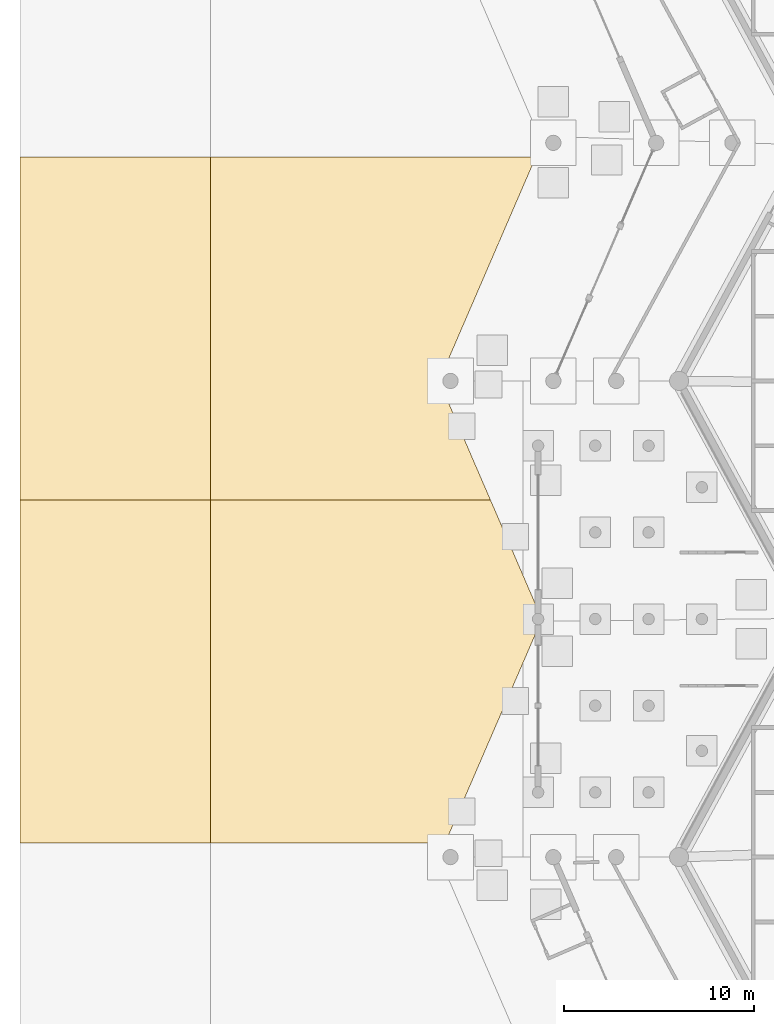
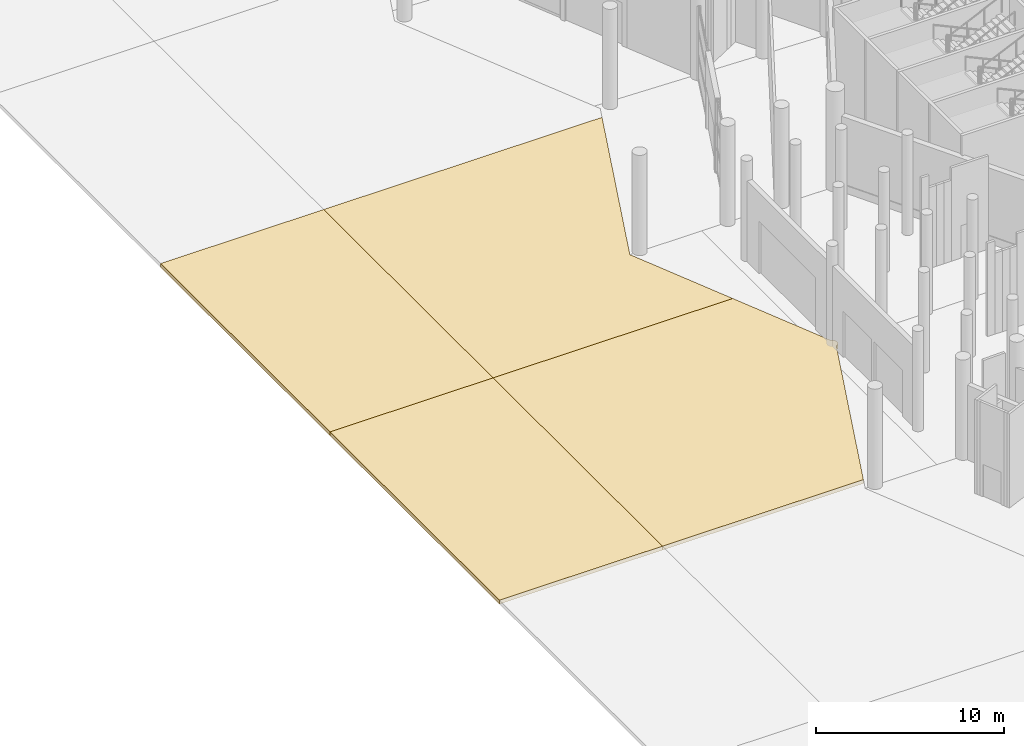
# One storey, part 199 of 255: 4 coverings.
"""IFC4 building model written with IfcOpenShell, lengths in metres."""

from ifc_helpers import new_model, si_unit, direction, frame, origin, place, context, subcontext, project, spatial, polyline, outline, extrude, material, layer, layer_set, type_object, element, save


model = new_model("IFC4")

# Units and contexts
model_context = context("Model", 3, precision=1e-05, world=origin(), true_north=direction((0.0, 1.0)))
body_context = subcontext(model_context, "Body", "Model", "MODEL_VIEW")
ifc_project = project(units=[si_unit("LENGTHUNIT", "METRE"), si_unit("AREAUNIT", "SQUARE_METRE"), si_unit("VOLUMEUNIT", "CUBIC_METRE"), si_unit("PLANEANGLEUNIT", "RADIAN"), si_unit("MASSUNIT", "GRAM", prefix="KILO")], contexts=[model_context])

# Site, building, storey
site_placement = place(None, origin())
site = spatial("IfcSite", under=ifc_project, at=site_placement, CompositionType="ELEMENT")
building_placement = place(site_placement, origin())
building = spatial("IfcBuilding", under=site, at=building_placement, Name="Meseta Stadium", CompositionType="ELEMENT")
storey_placement = place(building_placement, origin())
storey = spatial("IfcBuildingStorey", under=building, at=storey_placement, Name="L00", CompositionType="ELEMENT", Elevation=0.0)

# Coverings
ifc_material = material(Name="Guadarrama granite paving on bedding", Category="masonry")
ifc_layer = layer(ifc_material, 0.25)
ifc_layer_set = layer_set([ifc_layer], Name="Ground paving 250")
covering_type = type_object("IfcCoveringType", Name="Ground paving 250", PredefinedType="FLOORING", material=ifc_layer_set)
covering_1_placement = place(storey_placement, frame((0.0, 0.0, -0.25)))
element("IfcCovering", 1, at=covering_1_placement, inside=storey, type_object=covering_type, Name="Forecourt paving 32", PredefinedType="FLOORING", context=body_context, shape_type="SweptSolid", body=[
    extrude(outline(polyline([(-136.0, 0.0), (-136.0, -18.0), (-126.0, -18.0), (-126.0, 0.0), (-136.0, 0.0)])), origin(), (0.0, 0.0, 1.0), 0.25),
])
covering_2_placement = place(storey_placement, frame((0.0, 0.0, -0.25)))
element("IfcCovering", 2, at=covering_2_placement, inside=storey, type_object=covering_type, Name="Forecourt paving 33", PredefinedType="FLOORING", context=body_context, shape_type="SweptSolid", body=[
    extrude(outline(polyline([(-113.676025390625, -18.0), (-108.7265625, -6.54296875), (-108.648681640625, -6.511962890625), (-108.5859375, -6.464111328125), (-108.5380859375, -6.4013671875), (-108.5078125, -6.328369140625), (-108.497314453125, -6.25), (-108.5078125, -6.171630859375), (-108.5380859375, -6.0986328125), (-108.5859375, -6.035888671875), (-108.648681640625, -5.988037109375), (-108.7265625, -5.95703125), (-111.300048828125, 0.0), (-126.0, 0.0), (-126.0, -18.0), (-113.676025390625, -18.0)])), origin(), (0.0, 0.0, 1.0), 0.25),
])
covering_3_placement = place(storey_placement, frame((0.0, 0.0, -0.25)))
element("IfcCovering", 3, at=covering_3_placement, inside=storey, type_object=covering_type, Name="Forecourt paving 35", PredefinedType="FLOORING", context=body_context, shape_type="SweptSolid", body=[
    extrude(outline(polyline([(-136.0, 18.0), (-136.0, 0.0), (-126.0, 0.0), (-126.0, 18.0), (-136.0, 18.0)])), origin(), (0.0, 0.0, 1.0), 0.25),
])
covering_4_placement = place(storey_placement, frame((0.0, 0.0, -0.25)))
element("IfcCovering", 4, at=covering_4_placement, inside=storey, type_object=covering_type, Name="Forecourt paving 36", PredefinedType="FLOORING", context=body_context, shape_type="SweptSolid", body=[
    extrude(outline(polyline([(-111.300048828125, 0.0), (-114.0, 6.25), (-108.924072265625, 18.0), (-126.0, 18.0), (-126.0, 0.0), (-111.300048828125, 0.0)])), origin(), (0.0, 0.0, 1.0), 0.25),
])

save(model, "model.ifc")
